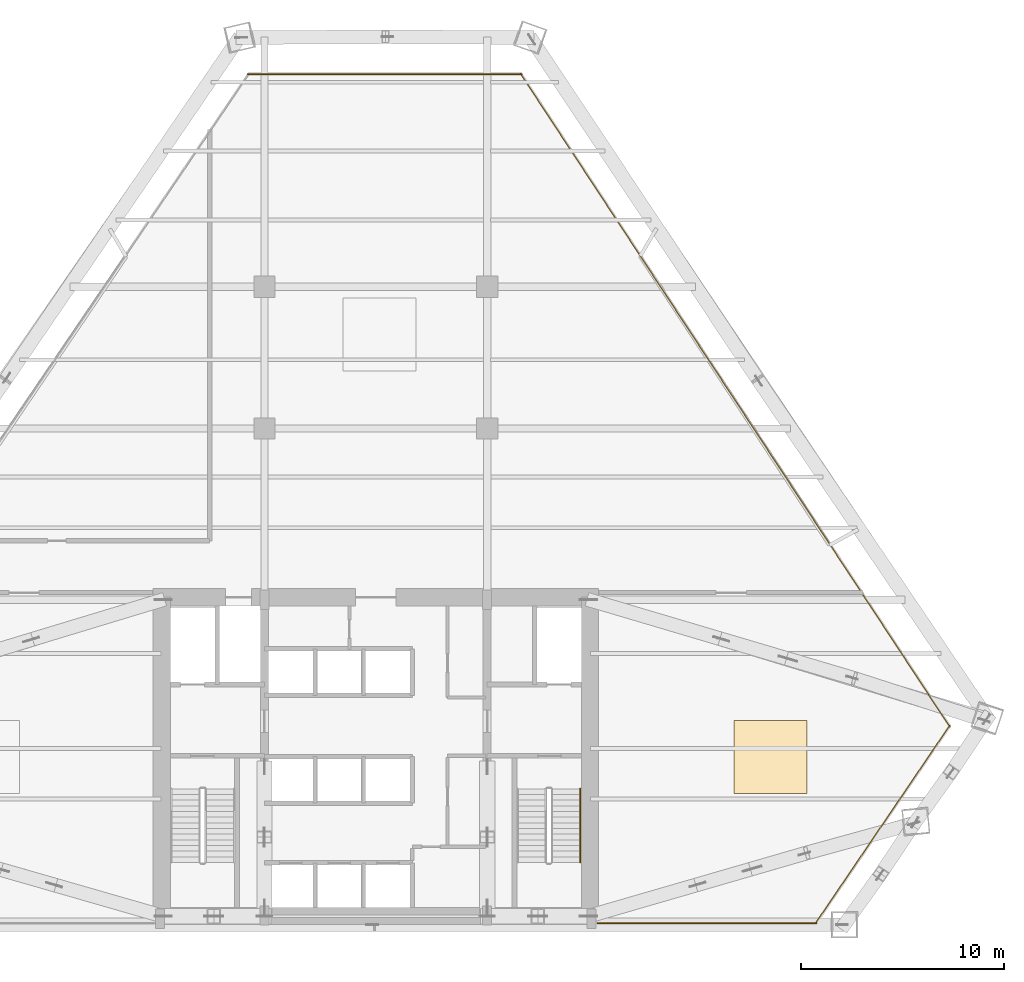
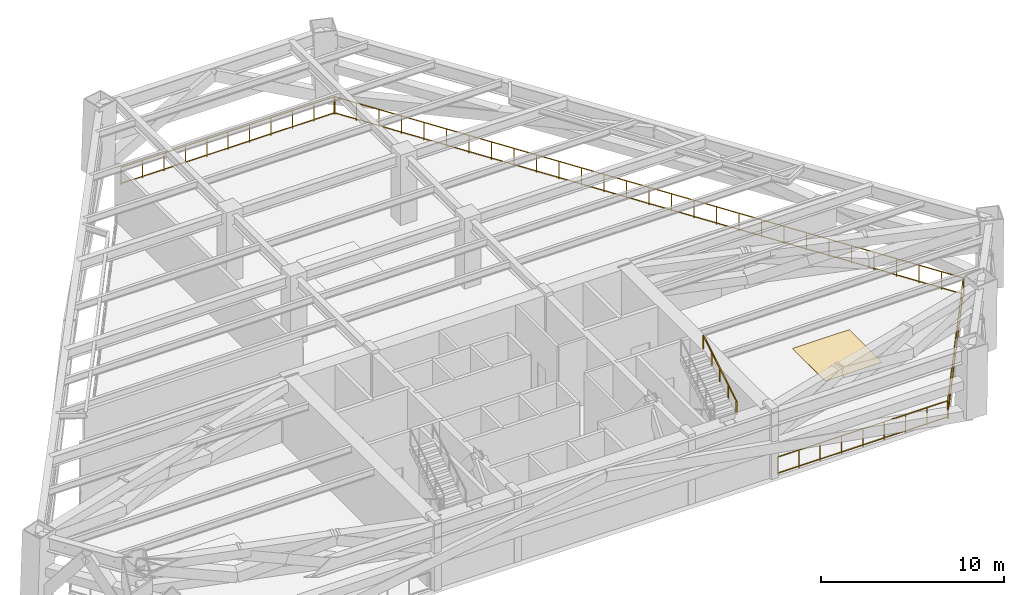
# One storey, part 10 of 10: 5 railings, 1 covering.
"""IFC4 building model written with IfcOpenShell, lengths in metres."""

from ifc_helpers import new_model, si_unit, direction, frame, origin, origin_2d, place, context, subcontext, project, spatial, rectangle, extrude, source, transform, mapped, material, layer, layer_set, type_object, type_shapes, element, save


model = new_model("IFC4")

# Units and contexts
model_context = context("Model", 3, precision=1e-05, world=origin(), true_north=direction((0.0, 1.0)))
body_context = subcontext(model_context, "Body", "Model", "MODEL_VIEW")
ifc_project = project(units=[si_unit("LENGTHUNIT", "METRE"), si_unit("AREAUNIT", "SQUARE_METRE"), si_unit("VOLUMEUNIT", "CUBIC_METRE"), si_unit("PLANEANGLEUNIT", "RADIAN"), si_unit("MASSUNIT", "GRAM", prefix="KILO")], contexts=[model_context])

# Site, building, storey
site_placement = place(None, origin())
site = spatial("IfcSite", under=ifc_project, at=site_placement, CompositionType="ELEMENT")
building_placement = place(site_placement, origin())
building = spatial("IfcBuilding", under=site, at=building_placement, Name="Varnakhor Terracotta Tower", CompositionType="ELEMENT")
storey_placement = place(building_placement, frame((0.0, 0.0, 71.89990234375)))
storey = spatial("IfcBuildingStorey", under=building, at=storey_placement, Name="L17", CompositionType="ELEMENT", Elevation=71.89990234375)

# Railings
ifc_material_1 = material(Name="Brushed Stainless Steel Handrail", Category="steel")
railing_type_1 = type_object("IfcRailingType", Name="RLG-STAIR-HANDRAIL-920", PredefinedType="HANDRAIL", material=ifc_material_1)
railing_1_placement = place(storey_placement, frame((10.10009765625, 3.070068359375, 2.51806640625)))
element("IfcRailing", 1, at=railing_1_placement, inside=storey, type_object=railing_type_1, Name="L17 ST-2 stair handrail 2", PredefinedType="HANDRAIL", context=body_context, shape_type="SweptSolid", body=[
    extrude(rectangle(XDim=0.048095703125, YDim=0.048095703125, at=origin_2d()), frame((0.0, 0.0, 0.89599609375), z_axis=(0.0, 0.857680679645, 0.514182702708), x_axis=(-1.0, 0.0, 0.0)), (0.0, 0.0, 1.0), 4.243896484375),
    extrude(rectangle(XDim=0.0419921875, YDim=0.0419921875, at=origin_2d()), origin(), (0.0, 0.0, 1.0), 0.871826171875),
    extrude(rectangle(XDim=0.0419921875, YDim=0.0419921875, at=origin_2d()), frame((0.0, 0.909912109375, 0.54541015625)), (0.0, 0.0, 1.0), 0.871826171875),
    extrude(rectangle(XDim=0.0419921875, YDim=0.0419921875, at=origin_2d()), frame((0.0, 1.81982421875, 1.091064453125)), (0.0, 0.0, 1.0), 0.871826171875),
    extrude(rectangle(XDim=0.0419921875, YDim=0.0419921875, at=origin_2d()), frame((0.0, 2.72998046875, 1.63671875)), (0.0, 0.0, 1.0), 0.871826171875),
    extrude(rectangle(XDim=0.0419921875, YDim=0.0419921875, at=origin_2d()), frame((0.0, 3.639892578125, 2.18212890625)), (0.0, 0.0, 1.0), 0.871826171875),
])
ifc_material_2 = material(Name="Terracotta & Brushed Steel Balustrade", Category="masonry")
railing_type_2 = type_object("IfcRailingType", Name="RLG-TERRACE-GUARD-1200", PredefinedType="BALUSTRADE", material=ifc_material_2)
railing_2_placement = place(storey_placement, frame((-6.31689453125, 41.992919921875, 0.0)))
element("IfcRailing", 2, at=railing_2_placement, inside=storey, type_object=railing_type_2, Name="L17 Open Floor Perimeter Guard 2", PredefinedType="BALUSTRADE", context=body_context, shape_type="SweptSolid", body=[
    extrude(rectangle(XDim=0.048095703125, YDim=0.048095703125, at=origin_2d()), frame((0.0, 0.0, 1.17578125), z_axis=(1.0, 0.0, 0.0), x_axis=(0.0, 1.0, 0.0)), (0.0, 0.0, 1.0), 13.527587890625),
    extrude(rectangle(XDim=0.048095703125, YDim=0.048095703125, at=origin_2d()), frame((0.0, 0.0, 0.10009765625), z_axis=(1.0, 0.0, 0.0), x_axis=(0.0, 1.0, 0.0)), (0.0, 0.0, 1.0), 13.527587890625),
    extrude(rectangle(XDim=0.0419921875, YDim=0.0419921875, at=origin_2d()), origin(), (0.0, 0.0, 1.0), 1.15185546875),
    extrude(rectangle(XDim=0.0419921875, YDim=0.0419921875, at=origin_2d()), frame((1.352783203125, 0.0, 0.0)), (0.0, 0.0, 1.0), 1.15185546875),
    extrude(rectangle(XDim=0.0419921875, YDim=0.0419921875, at=origin_2d()), frame((2.70556640625, 0.0, 0.0)), (0.0, 0.0, 1.0), 1.15185546875),
    extrude(rectangle(XDim=0.0419921875, YDim=0.0419921875, at=origin_2d()), frame((4.058349609375, 0.0, 0.0)), (0.0, 0.0, 1.0), 1.15185546875),
    extrude(rectangle(XDim=0.0419921875, YDim=0.0419921875, at=origin_2d()), frame((5.4111328125, 0.0, 0.0)), (0.0, 0.0, 1.0), 1.15185546875),
    extrude(rectangle(XDim=0.0419921875, YDim=0.0419921875, at=origin_2d()), frame((6.763671875, 0.0, 0.0)), (0.0, 0.0, 1.0), 1.15185546875),
    extrude(rectangle(XDim=0.0419921875, YDim=0.0419921875, at=origin_2d()), frame((8.116455078125, 0.0, 0.0)), (0.0, 0.0, 1.0), 1.15185546875),
    extrude(rectangle(XDim=0.0419921875, YDim=0.0419921875, at=origin_2d()), frame((9.46923828125, 0.0, 0.0)), (0.0, 0.0, 1.0), 1.15185546875),
    extrude(rectangle(XDim=0.0419921875, YDim=0.0419921875, at=origin_2d()), frame((10.822021484375, 0.0, 0.0)), (0.0, 0.0, 1.0), 1.15185546875),
    extrude(rectangle(XDim=0.0419921875, YDim=0.0419921875, at=origin_2d()), frame((12.1748046875, 0.0, 0.0)), (0.0, 0.0, 1.0), 1.15185546875),
    extrude(rectangle(XDim=0.0419921875, YDim=0.0419921875, at=origin_2d()), frame((13.527587890625, 0.0, 0.0)), (0.0, 0.0, 1.0), 1.15185546875),
])
railing_3_placement = place(storey_placement, frame((7.143798828125, 42.02880859375, 0.0)))
element("IfcRailing", 3, at=railing_3_placement, inside=storey, type_object=railing_type_2, Name="L17 Open Floor Perimeter Guard 3", PredefinedType="BALUSTRADE", context=body_context, shape_type="SweptSolid", body=[
    extrude(rectangle(XDim=0.048095703125, YDim=0.048095703125, at=origin_2d()), frame((0.0, 0.0, 1.17578125), z_axis=(0.549173596605, -0.835708298865, 0.0), x_axis=(0.835708298865, 0.549173596605, 0.0)), (0.0, 0.0, 1.0), 38.609619140625),
    extrude(rectangle(XDim=0.048095703125, YDim=0.048095703125, at=origin_2d()), frame((0.0, 0.0, 0.10009765625), z_axis=(0.549173596605, -0.835708298865, 0.0), x_axis=(0.835708298865, 0.549173596605, 0.0)), (0.0, 0.0, 1.0), 38.609619140625),
    extrude(rectangle(XDim=0.0419921875, YDim=0.0419921875, at=origin_2d()), origin(), (0.0, 0.0, 1.0), 1.15185546875),
    extrude(rectangle(XDim=0.0419921875, YDim=0.0419921875, at=origin_2d()), frame((0.75732421875, -1.15234375, 0.0)), (0.0, 0.0, 1.0), 1.15185546875),
    extrude(rectangle(XDim=0.0419921875, YDim=0.0419921875, at=origin_2d()), frame((1.5146484375, -2.3046875, 0.0)), (0.0, 0.0, 1.0), 1.15185546875),
    extrude(rectangle(XDim=0.0419921875, YDim=0.0419921875, at=origin_2d()), frame((2.271728515625, -3.45703125, 0.0)), (0.0, 0.0, 1.0), 1.15185546875),
    extrude(rectangle(XDim=0.0419921875, YDim=0.0419921875, at=origin_2d()), frame((3.029052734375, -4.609375, 0.0)), (0.0, 0.0, 1.0), 1.15185546875),
    extrude(rectangle(XDim=0.0419921875, YDim=0.0419921875, at=origin_2d()), frame((3.786376953125, -5.761962890625, 0.0)), (0.0, 0.0, 1.0), 1.15185546875),
    extrude(rectangle(XDim=0.0419921875, YDim=0.0419921875, at=origin_2d()), frame((4.54345703125, -6.914306640625, 0.0)), (0.0, 0.0, 1.0), 1.15185546875),
    extrude(rectangle(XDim=0.0419921875, YDim=0.0419921875, at=origin_2d()), frame((5.30078125, -8.066650390625, 0.0)), (0.0, 0.0, 1.0), 1.15185546875),
    extrude(rectangle(XDim=0.0419921875, YDim=0.0419921875, at=origin_2d()), frame((6.05810546875, -9.218994140625, 0.0)), (0.0, 0.0, 1.0), 1.15185546875),
    extrude(rectangle(XDim=0.0419921875, YDim=0.0419921875, at=origin_2d()), frame((6.8154296875, -10.371337890625, 0.0)), (0.0, 0.0, 1.0), 1.15185546875),
    extrude(rectangle(XDim=0.0419921875, YDim=0.0419921875, at=origin_2d()), frame((7.57275390625, -11.523681640625, 0.0)), (0.0, 0.0, 1.0), 1.15185546875),
    extrude(rectangle(XDim=0.0419921875, YDim=0.0419921875, at=origin_2d()), frame((8.329833984375, -12.676025390625, 0.0)), (0.0, 0.0, 1.0), 1.15185546875),
    extrude(rectangle(XDim=0.0419921875, YDim=0.0419921875, at=origin_2d()), frame((9.087158203125, -13.828369140625, 0.0)), (0.0, 0.0, 1.0), 1.15185546875),
    extrude(rectangle(XDim=0.0419921875, YDim=0.0419921875, at=origin_2d()), frame((9.844482421875, -14.980712890625, 0.0)), (0.0, 0.0, 1.0), 1.15185546875),
    extrude(rectangle(XDim=0.0419921875, YDim=0.0419921875, at=origin_2d()), frame((10.6015625, -16.13330078125, 0.0)), (0.0, 0.0, 1.0), 1.15185546875),
    extrude(rectangle(XDim=0.0419921875, YDim=0.0419921875, at=origin_2d()), frame((11.35888671875, -17.28564453125, 0.0)), (0.0, 0.0, 1.0), 1.15185546875),
    extrude(rectangle(XDim=0.0419921875, YDim=0.0419921875, at=origin_2d()), frame((12.1162109375, -18.43798828125, 0.0)), (0.0, 0.0, 1.0), 1.15185546875),
    extrude(rectangle(XDim=0.0419921875, YDim=0.0419921875, at=origin_2d()), frame((12.87353515625, -19.59033203125, 0.0)), (0.0, 0.0, 1.0), 1.15185546875),
    extrude(rectangle(XDim=0.0419921875, YDim=0.0419921875, at=origin_2d()), frame((13.630859375, -20.74267578125, 0.0)), (0.0, 0.0, 1.0), 1.15185546875),
    extrude(rectangle(XDim=0.0419921875, YDim=0.0419921875, at=origin_2d()), frame((14.387939453125, -21.89501953125, 0.0)), (0.0, 0.0, 1.0), 1.15185546875),
    extrude(rectangle(XDim=0.0419921875, YDim=0.0419921875, at=origin_2d()), frame((15.145263671875, -23.04736328125, 0.0)), (0.0, 0.0, 1.0), 1.15185546875),
    extrude(rectangle(XDim=0.0419921875, YDim=0.0419921875, at=origin_2d()), frame((15.902587890625, -24.19970703125, 0.0)), (0.0, 0.0, 1.0), 1.15185546875),
    extrude(rectangle(XDim=0.0419921875, YDim=0.0419921875, at=origin_2d()), frame((16.65966796875, -25.35205078125, 0.0)), (0.0, 0.0, 1.0), 1.15185546875),
    extrude(rectangle(XDim=0.0419921875, YDim=0.0419921875, at=origin_2d()), frame((17.4169921875, -26.50439453125, 0.0)), (0.0, 0.0, 1.0), 1.15185546875),
    extrude(rectangle(XDim=0.0419921875, YDim=0.0419921875, at=origin_2d()), frame((18.17431640625, -27.656982421875, 0.0)), (0.0, 0.0, 1.0), 1.15185546875),
    extrude(rectangle(XDim=0.0419921875, YDim=0.0419921875, at=origin_2d()), frame((18.931640625, -28.809326171875, 0.0)), (0.0, 0.0, 1.0), 1.15185546875),
    extrude(rectangle(XDim=0.0419921875, YDim=0.0419921875, at=origin_2d()), frame((19.68896484375, -29.961669921875, 0.0)), (0.0, 0.0, 1.0), 1.15185546875),
    extrude(rectangle(XDim=0.0419921875, YDim=0.0419921875, at=origin_2d()), frame((20.446044921875, -31.114013671875, 0.0)), (0.0, 0.0, 1.0), 1.15185546875),
    extrude(rectangle(XDim=0.0419921875, YDim=0.0419921875, at=origin_2d()), frame((21.203369140625, -32.266357421875, 0.0)), (0.0, 0.0, 1.0), 1.15185546875),
])
railing_4_placement = place(storey_placement, frame((28.347900390625, 9.851318359375, 0.0)))
element("IfcRailing", 4, at=railing_4_placement, inside=storey, type_object=railing_type_2, Name="L17 Open Floor Perimeter Guard 4", PredefinedType="BALUSTRADE", context=body_context, shape_type="SweptSolid", body=[
    extrude(rectangle(XDim=0.048095703125, YDim=0.048095703125, at=origin_2d()), frame((0.0, 0.0, 1.17578125), z_axis=(-0.561400146524, -0.827544485501, 0.0), x_axis=(0.827544485501, -0.561400146524, 0.0)), (0.0, 0.0, 1.0), 11.85009765625),
    extrude(rectangle(XDim=0.048095703125, YDim=0.048095703125, at=origin_2d()), frame((0.0, 0.0, 0.10009765625), z_axis=(-0.561400146524, -0.827544485501, 0.0), x_axis=(0.827544485501, -0.561400146524, 0.0)), (0.0, 0.0, 1.0), 11.85009765625),
    extrude(rectangle(XDim=0.0419921875, YDim=0.0419921875, at=origin_2d()), origin(), (0.0, 0.0, 1.0), 1.15185546875),
    extrude(rectangle(XDim=0.0419921875, YDim=0.0419921875, at=origin_2d()), frame((-0.7392578125, -1.089599609375, 0.0)), (0.0, 0.0, 1.0), 1.15185546875),
    extrude(rectangle(XDim=0.0419921875, YDim=0.0419921875, at=origin_2d()), frame((-1.478271484375, -2.17919921875, 0.0)), (0.0, 0.0, 1.0), 1.15185546875),
    extrude(rectangle(XDim=0.0419921875, YDim=0.0419921875, at=origin_2d()), frame((-2.217529296875, -3.268798828125, 0.0)), (0.0, 0.0, 1.0), 1.15185546875),
    extrude(rectangle(XDim=0.0419921875, YDim=0.0419921875, at=origin_2d()), frame((-2.956787109375, -4.3583984375, 0.0)), (0.0, 0.0, 1.0), 1.15185546875),
    extrude(rectangle(XDim=0.0419921875, YDim=0.0419921875, at=origin_2d()), frame((-3.69580078125, -5.447998046875, 0.0)), (0.0, 0.0, 1.0), 1.15185546875),
    extrude(rectangle(XDim=0.0419921875, YDim=0.0419921875, at=origin_2d()), frame((-4.43505859375, -6.53759765625, 0.0)), (0.0, 0.0, 1.0), 1.15185546875),
    extrude(rectangle(XDim=0.0419921875, YDim=0.0419921875, at=origin_2d()), frame((-5.17431640625, -7.627197265625, 0.0)), (0.0, 0.0, 1.0), 1.15185546875),
    extrude(rectangle(XDim=0.0419921875, YDim=0.0419921875, at=origin_2d()), frame((-5.913330078125, -8.716796875, 0.0)), (0.0, 0.0, 1.0), 1.15185546875),
    extrude(rectangle(XDim=0.0419921875, YDim=0.0419921875, at=origin_2d()), frame((-6.652587890625, -9.806396484375, 0.0)), (0.0, 0.0, 1.0), 1.15185546875),
])
railing_5_placement = place(storey_placement, frame((21.76171875, 0.080078125, 0.0)))
element("IfcRailing", 5, at=railing_5_placement, inside=storey, type_object=railing_type_2, Name="L17 Open Refuge Perimeter Guard SE", PredefinedType="BALUSTRADE", context=body_context, shape_type="SweptSolid", body=[
    extrude(rectangle(XDim=0.048095703125, YDim=0.048095703125, at=origin_2d()), frame((0.0, 0.0, 1.17578125), z_axis=(-1.0, 0.0, 0.0), x_axis=(0.0, -1.0, 0.0)), (0.0, 0.0, 1.0), 10.8017578125),
    extrude(rectangle(XDim=0.048095703125, YDim=0.048095703125, at=origin_2d()), frame((0.0, 0.0, 0.10009765625), z_axis=(-1.0, 0.0, 0.0), x_axis=(0.0, -1.0, 0.0)), (0.0, 0.0, 1.0), 10.8017578125),
    extrude(rectangle(XDim=0.0419921875, YDim=0.0419921875, at=origin_2d()), origin(), (0.0, 0.0, 1.0), 1.15185546875),
    extrude(rectangle(XDim=0.0419921875, YDim=0.0419921875, at=origin_2d()), frame((-1.35009765625, 0.0, 0.0)), (0.0, 0.0, 1.0), 1.15185546875),
    extrude(rectangle(XDim=0.0419921875, YDim=0.0419921875, at=origin_2d()), frame((-2.700439453125, 0.0, 0.0)), (0.0, 0.0, 1.0), 1.15185546875),
    extrude(rectangle(XDim=0.0419921875, YDim=0.0419921875, at=origin_2d()), frame((-4.05078125, 0.0, 0.0)), (0.0, 0.0, 1.0), 1.15185546875),
    extrude(rectangle(XDim=0.0419921875, YDim=0.0419921875, at=origin_2d()), frame((-5.40087890625, 0.0, 0.0)), (0.0, 0.0, 1.0), 1.15185546875),
    extrude(rectangle(XDim=0.0419921875, YDim=0.0419921875, at=origin_2d()), frame((-6.7509765625, 0.0, 0.0)), (0.0, 0.0, 1.0), 1.15185546875),
    extrude(rectangle(XDim=0.0419921875, YDim=0.0419921875, at=origin_2d()), frame((-8.101318359375, 0.0, 0.0)), (0.0, 0.0, 1.0), 1.15185546875),
    extrude(rectangle(XDim=0.0419921875, YDim=0.0419921875, at=origin_2d()), frame((-9.45166015625, 0.0, 0.0)), (0.0, 0.0, 1.0), 1.15185546875),
    extrude(rectangle(XDim=0.0419921875, YDim=0.0419921875, at=origin_2d()), frame((-10.8017578125, 0.0, 0.0)), (0.0, 0.0, 1.0), 1.15185546875),
])

# Covering
ifc_material_3 = material(Name="Insulated Elastomeric Waterproof Roofing Membrane", Category="other")
ifc_layer = layer(ifc_material_3, 0.034912109375, Name="Insulated Elastomeric Waterproof Roofing Membrane")
ifc_layer_set = layer_set([ifc_layer], Name="Insulated Elastomeric Waterproof Roofing Membrane")
covering_type = type_object("IfcCoveringType", Name="COV-ROOF-MEMBRANE", PredefinedType="ROOFING", material=ifc_layer_set)
shared_shape = source(origin(), body_context, "Body", "SweptSolid", [
    extrude(rectangle(XDim=3.60009765625, YDim=3.60009765625, at=origin_2d()), origin(), (0.0, 0.0, 1.0), 0.014892578125),
])
type_shapes(covering_type, [shared_shape])
covering_placement = place(storey_placement, frame((19.48291015625, 8.291015625, 0.0), z_axis=(0.0, 0.0, 1.0), x_axis=(1.0, 0.0, 0.0)))
element("IfcCovering", 6, at=covering_placement, inside=storey, type_object=covering_type, Name="L17 Waterproof Plant Membrane 2", PredefinedType="ROOFING", context=body_context, shape_type="MappedRepresentation", body=[
    mapped(shared_shape, transform((0.0, 0.0, 0.0), scale=1.0)),
])

save(model, "model.ifc")
